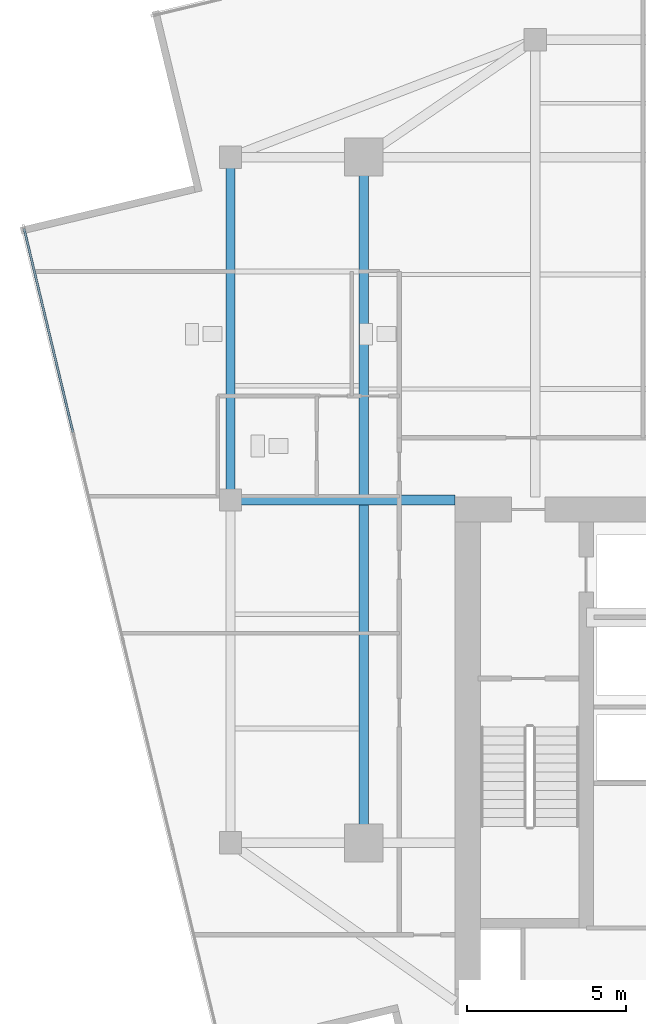
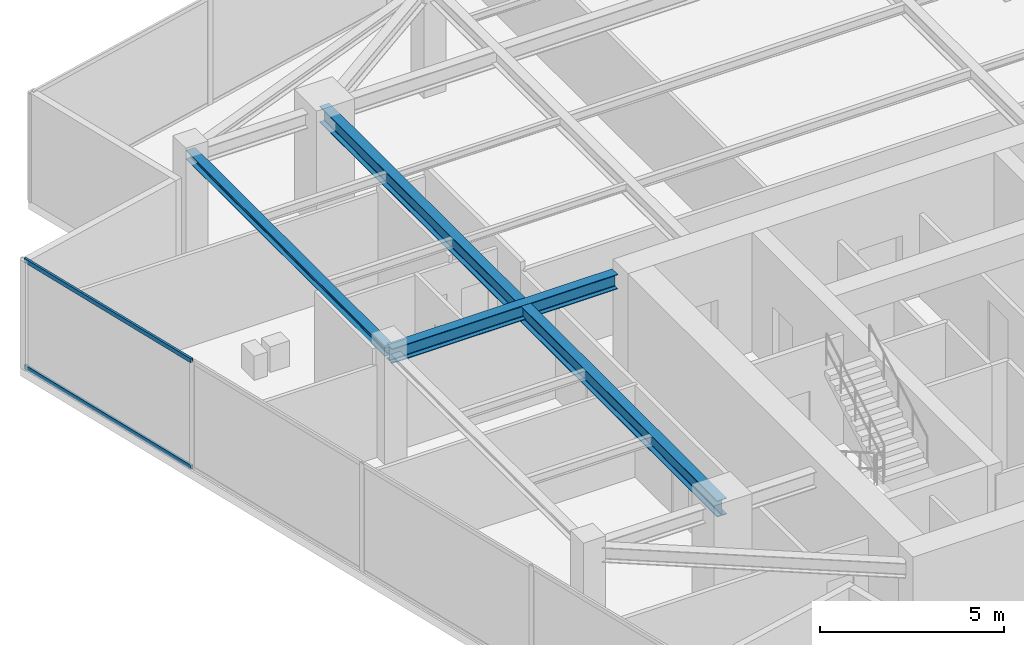
# One storey, part 6 of 22: 3 beams, 2 members, 1 element without a shape of its own.
"""IFC4 building model written with IfcOpenShell, lengths in metres."""

from ifc_helpers import new_model, si_unit, direction, frame, origin, origin_2d, place, context, subcontext, project, spatial, hollow_rectangle, i_section, extrude, source, transform, mapped, material, material_profile, profile_set, type_object, type_shapes, element, aggregate, save


model = new_model("IFC4")

# Units and contexts
model_context = context("Model", 3, precision=1e-05, world=origin(), true_north=direction((0.0, 1.0)))
body_context = subcontext(model_context, "Body", "Model", "MODEL_VIEW")
ifc_project = project(units=[si_unit("LENGTHUNIT", "METRE"), si_unit("AREAUNIT", "SQUARE_METRE"), si_unit("VOLUMEUNIT", "CUBIC_METRE"), si_unit("PLANEANGLEUNIT", "RADIAN"), si_unit("MASSUNIT", "GRAM", prefix="KILO")], contexts=[model_context])

# Site, building, storey
site_placement = place(None, origin())
site = spatial("IfcSite", under=ifc_project, at=site_placement, CompositionType="ELEMENT")
building_placement = place(site_placement, origin())
building = spatial("IfcBuilding", under=site, at=building_placement, Name="Krantzveldt Concourse Tower", CompositionType="ELEMENT")
storey_placement = place(building_placement, frame((0.0, 0.0, 359.300048828125)))
storey = spatial("IfcBuildingStorey", under=building, at=storey_placement, Name="L88", CompositionType="ELEMENT", Elevation=359.300048828125)

# Beams
ifc_material_1 = material(Name="Steel S355JR", Category="steel")
ifc_material_profile_1 = material_profile(ifc_material_1, i_section(OverallWidth=0.300048828125, OverallDepth=0.489990234375, WebThickness=0.011962890625, FlangeThickness=0.02294921875, FilletRadius=0.027099609375, at=origin_2d()), Name="Steel S355JR", Category="steel")
ifc_profile_set_1 = profile_set([ifc_material_profile_1], Name="Steel S355JR - HEA 500")
beam_type_1 = type_object("IfcBeamType", Name="BM-B-HEA500", PredefinedType="BEAM", material=ifc_profile_set_1)
shared_shape_1 = source(origin(), body_context, "Body", "SweptSolid", [
    extrude(i_section(OverallWidth=0.300048828125, OverallDepth=0.489990234375, WebThickness=0.011962890625, FlangeThickness=0.02294921875, FilletRadius=0.027099609375, at=origin_2d()), origin(), (0.0, 0.0, 1.0), 7.080078125),
])
type_shapes(beam_type_1, [shared_shape_1])
beam_1_placement = place(storey_placement, frame((21.0, 26.699951171875, 3.35498046875), z_axis=(1.0, 0.0, 0.0), x_axis=(0.0, 1.0, 0.0)))
element("IfcBeam", 1, at=beam_1_placement, inside=storey, type_object=beam_type_1, Name="L88 Tower Girder BG-CW2", PredefinedType="BEAM", context=body_context, shape_type="MappedRepresentation", body=[
    mapped(shared_shape_1, transform((0.0, 0.0, 0.0), x_axis=(1.0, 0.0, 0.0), y_axis=(0.0, 1.0, 0.0), z_axis=(0.0, 0.0, 1.0), scale=1.0)),
])
ifc_material_profile_2 = material_profile(ifc_material_1, i_section(OverallWidth=0.300048828125, OverallDepth=0.5400390625, WebThickness=0.012451171875, FlangeThickness=0.02392578125, FilletRadius=0.027099609375, at=origin_2d()), Name="Steel S355JR", Category="steel")
ifc_profile_set_2 = profile_set([ifc_material_profile_2], Name="Steel S355JR - HEA 550")
beam_type_2 = type_object("IfcBeamType", Name="BM-B-HEA550", PredefinedType="BEAM", material=ifc_profile_set_2)
shared_shape_2 = source(origin(), body_context, "Body", "SweptSolid", [
    extrude(i_section(OverallWidth=0.300048828125, OverallDepth=0.5400390625, WebThickness=0.012451171875, FlangeThickness=0.02392578125, FilletRadius=0.027099609375, at=origin_2d()), origin(), (0.0, 0.0, 1.0), 21.60009765625),
])
type_shapes(beam_type_2, [shared_shape_2])
beam_2_placement = place(storey_placement, frame((25.199951171875, 15.89990234375, 3.329833984375), z_axis=(0.0, 1.0, 0.0), x_axis=(-1.0, 0.0, 0.0)))
element("IfcBeam", 2, at=beam_2_placement, inside=storey, type_object=beam_type_2, Name="L88 Tower Girder BG-MW", PredefinedType="BEAM", context=body_context, shape_type="MappedRepresentation", body=[
    mapped(shared_shape_2, transform((0.0, 0.0, 0.0), x_axis=(1.0, 0.0, 0.0), y_axis=(0.0, 1.0, 0.0), z_axis=(0.0, 0.0, 1.0), scale=1.0)),
])
ifc_material_profile_3 = material_profile(ifc_material_1, i_section(OverallWidth=0.2900390625, OverallDepth=0.2900390625, WebThickness=0.008544921875, FlangeThickness=0.013916015625, FilletRadius=0.027099609375, at=origin_2d()), Name="Steel S355JR", Category="steel")
ifc_profile_set_3 = profile_set([ifc_material_profile_3], Name="Steel S355JR - HEA 300")
beam_type_3 = type_object("IfcBeamType", Name="BM-SP-HEA300", PredefinedType="SPANDREL", material=ifc_profile_set_3)
shared_shape_3 = source(origin(), body_context, "Body", "SweptSolid", [
    extrude(i_section(OverallWidth=0.2900390625, OverallDepth=0.2900390625, WebThickness=0.008544921875, FlangeThickness=0.013916015625, FilletRadius=0.027099609375, at=origin_2d()), origin(), (0.0, 0.0, 1.0), 10.800048828125),
])
type_shapes(beam_type_3, [shared_shape_3])
beam_3_placement = place(storey_placement, frame((21.0, 26.699951171875, 3.454833984375), z_axis=(0.0, 1.0, 0.0), x_axis=(-1.0, 0.0, 0.0)))
element("IfcBeam", 3, at=beam_3_placement, inside=storey, type_object=beam_type_3, Name="L88 Tower Girder SP-R02", PredefinedType="SPANDREL", context=body_context, shape_type="MappedRepresentation", body=[
    mapped(shared_shape_3, transform((0.0, 0.0, 0.0), x_axis=(1.0, 0.0, 0.0), y_axis=(0.0, 1.0, 0.0), z_axis=(0.0, 0.0, 1.0), scale=1.0)),
])

# Curtain wall, members
ifc_material_2 = material(Name="Anodised aluminium 6063-T6", Category="aluminium")
curtain_wall_type = type_object("IfcCurtainWallType", Name="CW4", PredefinedType="USERDEFINED", material=ifc_material_2)
curtain_wall_placement = place(storey_placement, origin())
curtain_wall = element("IfcCurtainWall", 4, at=curtain_wall_placement, inside=storey, type_object=curtain_wall_type, Name="CW-L88-F04", ObjectType="UNITISED CURTAIN WALL", PredefinedType="USERDEFINED")
ifc_material_profile_4 = material_profile(ifc_material_2, hollow_rectangle(XDim=0.070068359375, YDim=0.139892578125, WallThickness=0.0048828125, at=origin_2d()), Name="Anodised aluminium 6063-T6", Category="aluminium")
ifc_profile_set_4 = profile_set([ifc_material_profile_4], Name="Anodised aluminium 6063-T6 - ALU-TRAN 140x70x5")
member_type = type_object("IfcMemberType", Name="CW-TRN-150", PredefinedType="USERDEFINED", material=ifc_profile_set_4)
shared_shape_4 = source(origin(), body_context, "Body", "SweptSolid", [
    extrude(hollow_rectangle(XDim=0.070068359375, YDim=0.139892578125, WallThickness=0.0048828125, at=origin_2d()), origin(), (0.0, 0.0, 1.0), 6.594970703125),
])
type_shapes(member_type, [shared_shape_4])
member_1_placement = place(storey_placement, frame((14.500732421875, 35.247314453125, 0.034912109375), z_axis=(0.233440156887, -0.972371170466, 0.0), x_axis=(0.972371170466, 0.233440156887, 0.0)))
member_1 = element("IfcMember", 5, at=member_1_placement, type_object=member_type, Name="CW-Z56 transom 1.1", ObjectType="TRANSOM", PredefinedType="USERDEFINED", context=body_context, shape_type="MappedRepresentation", body=[
    mapped(shared_shape_4, transform((0.0, 0.0, 0.0), x_axis=(1.0, 0.0, 0.0), y_axis=(0.0, 1.0, 0.0), z_axis=(0.0, 0.0, 1.0), scale=1.0)),
])
member_2_placement = place(storey_placement, frame((14.500732421875, 35.247314453125, 3.56494140625), z_axis=(0.233440156887, -0.972371170466, 0.0), x_axis=(0.972371170466, 0.233440156887, 0.0)))
member_2 = element("IfcMember", 6, at=member_2_placement, type_object=member_type, Name="CW-Z56 transom 1.2", ObjectType="TRANSOM", PredefinedType="USERDEFINED", context=body_context, shape_type="MappedRepresentation", body=[
    mapped(shared_shape_4, transform((0.0, 0.0, 0.0), x_axis=(1.0, 0.0, 0.0), y_axis=(0.0, 1.0, 0.0), z_axis=(0.0, 0.0, 1.0), scale=1.0)),
])
aggregate(curtain_wall, [member_1, member_2])

save(model, "model.ifc")
